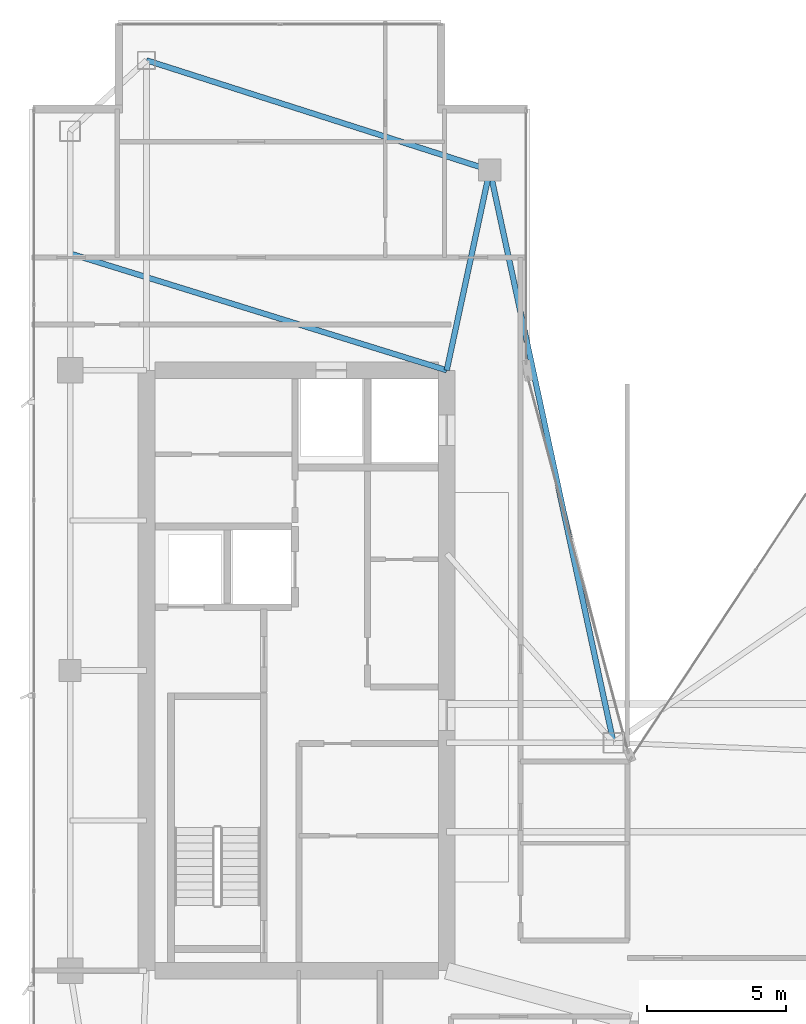
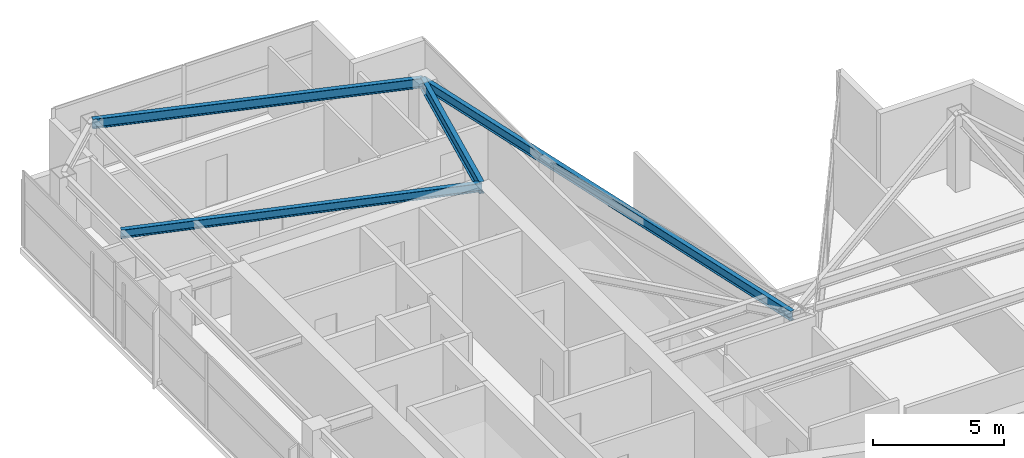
# One storey, part 18 of 28: 4 beams.
"""IFC4 building model written with IfcOpenShell, lengths in metres."""

from ifc_helpers import new_model, si_unit, direction, frame, origin, origin_2d, place, context, subcontext, project, spatial, i_section, extrude, material, material_profile, profile_set, type_object, element, save


model = new_model("IFC4")

# Units and contexts
model_context = context("Model", 3, precision=1e-05, world=origin(), true_north=direction((0.0, 1.0)))
body_context = subcontext(model_context, "Body", "Model", "MODEL_VIEW")
ifc_project = project(units=[si_unit("LENGTHUNIT", "METRE"), si_unit("AREAUNIT", "SQUARE_METRE"), si_unit("VOLUMEUNIT", "CUBIC_METRE"), si_unit("PLANEANGLEUNIT", "RADIAN"), si_unit("MASSUNIT", "GRAM", prefix="KILO")], contexts=[model_context])

# Site, building, storey
site_placement = place(None, origin())
site = spatial("IfcSite", under=ifc_project, at=site_placement, CompositionType="ELEMENT")
building_placement = place(site_placement, origin())
building = spatial("IfcBuilding", under=site, at=building_placement, Name="Calvorn Quay Hotel", CompositionType="ELEMENT")
storey_placement = place(building_placement, frame((0.0, 0.0, 274.89990234375)))
storey = spatial("IfcBuildingStorey", under=building, at=storey_placement, Name="L68", CompositionType="ELEMENT", Elevation=274.89990234375)

# Beams
ifc_material_1 = material(Name="Steel Q355B", Category="steel")
ifc_material_profile_1 = material_profile(ifc_material_1, i_section(OverallWidth=0.199951171875, OverallDepth=0.550048828125, WebThickness=0.010009765625, FlangeThickness=0.01611328125, FilletRadius=0.01806640625, at=origin_2d()), Name="HN550x200x10x16")
ifc_profile_set_1 = profile_set([ifc_material_profile_1], Name="Steel Q355B")
beam_type_1 = type_object("IfcBeamType", Name="BM-GIRD-UPP", PredefinedType="BEAM", material=ifc_profile_set_1)
beam_1_placement = place(storey_placement, frame((16.550048828125, 45.60009765625, 3.26513671875), z_axis=(-0.210457140491, -0.97760308511, 0.0), x_axis=(0.97760308511, -0.210457140491, 0.0)))
element("IfcBeam", 1, at=beam_1_placement, inside=storey, type_object=beam_type_1, Name="Beam BG-L68-W6", PredefinedType="BEAM", context=body_context, shape_type="SweptSolid", body=[
    extrude(i_section(OverallWidth=0.199951171875, OverallDepth=0.550048828125, WebThickness=0.010009765625, FlangeThickness=0.01611328125, FilletRadius=0.01806640625, at=origin_2d()), origin(), (0.0, 0.0, 1.0), 7.365234375),
])
ifc_material_2 = material(Name="Steel Q355B", Category="steel")
ifc_material_profile_2 = material_profile(ifc_material_2, i_section(OverallWidth=0.199951171875, OverallDepth=0.39990234375, WebThickness=0.008056640625, FlangeThickness=0.012939453125, FilletRadius=0.01611328125, at=origin_2d()), Name="HN400x200x8x13")
ifc_profile_set_2 = profile_set([ifc_material_profile_2], Name="Steel Q355B")
beam_type_2 = type_object("IfcBeamType", Name="BM-JOIST-TYP", PredefinedType="JOIST", material=ifc_profile_set_2)
beam_2_placement = place(storey_placement, frame((1.449951171875, 42.60009765625, 3.340087890625), z_axis=(0.955163702122, -0.296078202759, 0.0), x_axis=(0.296078202759, 0.955163702122, 0.0)))
element("IfcBeam", 2, at=beam_2_placement, inside=storey, type_object=beam_type_2, Name="Beam BJ-L68-W2", PredefinedType="JOIST", context=body_context, shape_type="SweptSolid", body=[
    extrude(i_section(OverallWidth=0.199951171875, OverallDepth=0.39990234375, WebThickness=0.008056640625, FlangeThickness=0.012939453125, FilletRadius=0.01611328125, at=origin_2d()), origin(), (0.0, 0.0, 1.0), 14.18603515625),
])
ifc_material_3 = material(Name="Steel Q355B", Category="steel")
ifc_material_profile_3 = material_profile(ifc_material_3, i_section(OverallWidth=0.199951171875, OverallDepth=0.449951171875, WebThickness=0.009033203125, FlangeThickness=0.013916015625, FilletRadius=0.01611328125, at=origin_2d()), Name="HN450x200x9x14")
ifc_profile_set_3 = profile_set([ifc_material_profile_3], Name="Steel Q355B")
beam_type_3 = type_object("IfcBeamType", Name="BM-SPANDREL-Z3", PredefinedType="SPANDREL", material=ifc_profile_set_3)
beam_3_placement = place(storey_placement, frame((4.199951171875, 49.550048828125, 3.315185546875), z_axis=(0.952470702374, -0.304630203885, 0.0), x_axis=(0.304630203885, 0.952470702374, 0.0)))
element("IfcBeam", 3, at=beam_3_placement, inside=storey, type_object=beam_type_3, Name="Beam BSP-L68-W6", PredefinedType="SPANDREL", context=body_context, shape_type="SweptSolid", body=[
    extrude(i_section(OverallWidth=0.199951171875, OverallDepth=0.449951171875, WebThickness=0.009033203125, FlangeThickness=0.013916015625, FilletRadius=0.01611328125, at=origin_2d()), origin(), (0.0, 0.0, 1.0), 12.96630859375),
])
beam_4_placement = place(storey_placement, frame((16.550048828125, 45.60009765625, 3.315185546875), z_axis=(0.211145848376, -0.977454567084, 0.0), x_axis=(0.977454567084, 0.211145848376, 0.0)))
element("IfcBeam", 4, at=beam_4_placement, inside=storey, type_object=beam_type_3, Name="Beam BSP-L68-W7", PredefinedType="SPANDREL", context=body_context, shape_type="SweptSolid", body=[
    extrude(i_section(OverallWidth=0.199951171875, OverallDepth=0.449951171875, WebThickness=0.009033203125, FlangeThickness=0.013916015625, FilletRadius=0.01611328125, at=origin_2d()), origin(), (0.0, 0.0, 1.0), 21.0751953125),
])

save(model, "model.ifc")
